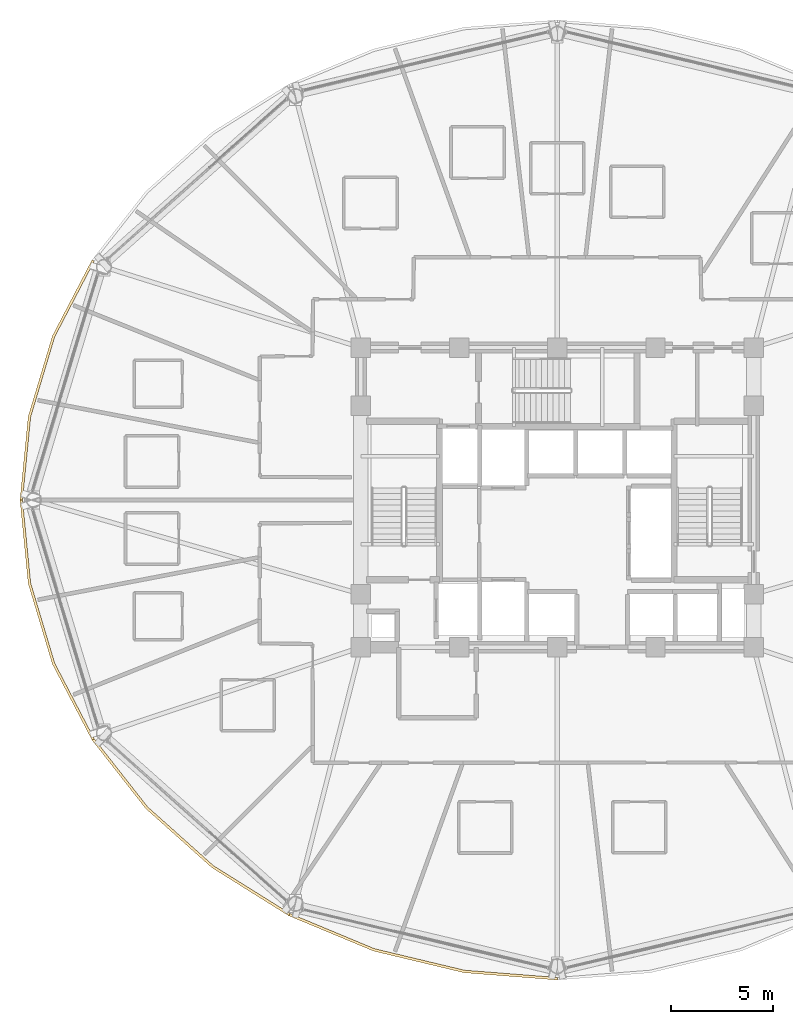
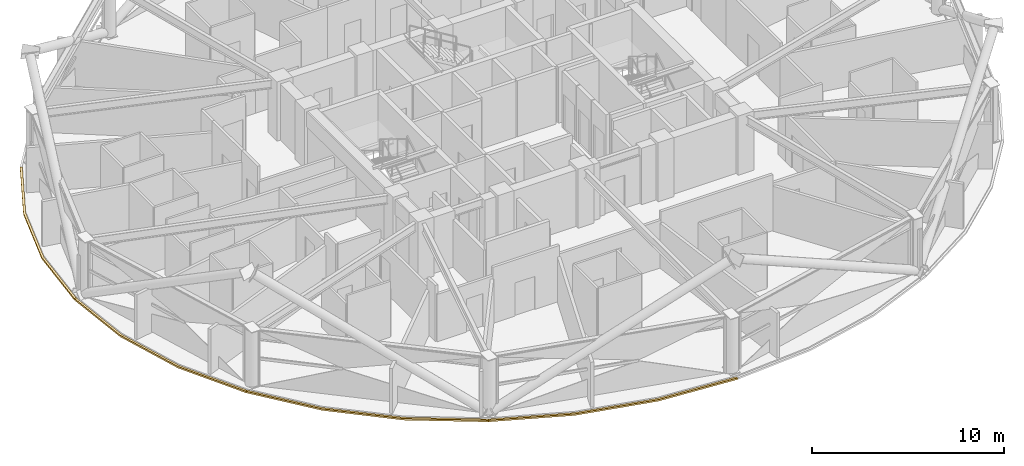
# One storey, part 29 of 32: 4 coverings.
"""IFC4 building model written with IfcOpenShell, lengths in metres."""

from ifc_helpers import new_model, si_unit, direction, frame, origin, place, context, subcontext, project, spatial, polyline, outline, extrude, material, layer, layer_set, type_object, element, save


model = new_model("IFC4")

# Units and contexts
model_context = context("Model", 3, precision=1e-05, world=origin(), true_north=direction((0.0, 1.0)))
body_context = subcontext(model_context, "Body", "Model", "MODEL_VIEW")
ifc_project = project(units=[si_unit("LENGTHUNIT", "METRE"), si_unit("AREAUNIT", "SQUARE_METRE"), si_unit("VOLUMEUNIT", "CUBIC_METRE"), si_unit("PLANEANGLEUNIT", "RADIAN"), si_unit("MASSUNIT", "GRAM", prefix="KILO")], contexts=[model_context])

# Site, building, storey
site_placement = place(None, origin())
site = spatial("IfcSite", under=ifc_project, at=site_placement, CompositionType="ELEMENT")
building_placement = place(site_placement, origin())
building = spatial("IfcBuilding", under=site, at=building_placement, Name="Vantalir Tower", CompositionType="ELEMENT")
storey_placement = place(building_placement, frame((0.0, 0.0, 104.699951171875)))
storey = spatial("IfcBuildingStorey", under=building, at=storey_placement, Name="L25", CompositionType="ELEMENT", Elevation=104.699951171875)

# Coverings
ifc_material = material(Name="Anodised champagne aluminium sill fascia", Category="aluminium")
ifc_layer = layer(ifc_material, 0.125)
ifc_layer_set = layer_set([ifc_layer], Name="Anodised champagne aluminium sill fascia")
covering_type = type_object("IfcCoveringType", Name="COV-SLAB-FASCIA-125", PredefinedType="CLADDING", material=ifc_layer_set)
covering_1_placement = place(storey_placement, frame((0.0, 0.0, -0.179931640625)))
element("IfcCovering", 1, at=covering_1_placement, inside=storey, type_object=covering_type, Name="L25 Perimeter Slab-Edge Sill Fascia 06", PredefinedType="CLADDING", context=body_context, shape_type="SweptSolid", body=[
    extrude(outline(polyline([(8.756103515625, 36.73095703125), (6.821044921875, 33.02490234375), (5.635986328125, 29.073974609375), (5.237060546875, 25.0), (5.362060546875, 25.0), (5.759033203125, 29.052978515625), (6.93798828125, 32.98193359375), (8.864013671875, 36.6689453125), (8.756103515625, 36.73095703125)])), origin(), (0.0, 0.0, 1.0), 0.10498046875),
])
covering_2_placement = place(storey_placement, frame((0.0, 0.0, -0.179931640625)))
element("IfcCovering", 2, at=covering_2_placement, inside=storey, type_object=covering_type, Name="L25 Perimeter Slab-Edge Sill Fascia 07", PredefinedType="CLADDING", context=body_context, shape_type="SweptSolid", body=[
    extrude(outline(polyline([(5.237060546875, 25.0), (5.635986328125, 20.926025390625), (6.821044921875, 16.97509765625), (8.756103515625, 13.26806640625), (8.864013671875, 13.3310546875), (6.93798828125, 17.01806640625), (5.759033203125, 20.947021484375), (5.362060546875, 25.0), (5.237060546875, 25.0)])), origin(), (0.0, 0.0, 1.0), 0.10498046875),
])
covering_3_placement = place(storey_placement, frame((0.0, 0.0, -0.179931640625)))
element("IfcCovering", 3, at=covering_3_placement, inside=storey, type_object=covering_type, Name="L25 Perimeter Slab-Edge Sill Fascia 08", PredefinedType="CLADDING", context=body_context, shape_type="SweptSolid", body=[
    extrude(outline(polyline([(8.756103515625, 13.26806640625), (11.381103515625, 9.91796875), (14.617919921875, 7.02587890625), (18.367919921875, 4.679931640625), (18.430908203125, 4.7890625), (14.698974609375, 7.1220703125), (11.47705078125, 9.9990234375), (8.864013671875, 13.3310546875), (8.756103515625, 13.26806640625)])), origin(), (0.0, 0.0, 1.0), 0.10498046875),
])
covering_4_placement = place(storey_placement, frame((0.0, 0.0, -0.179931640625)))
element("IfcCovering", 4, at=covering_4_placement, inside=storey, type_object=covering_type, Name="L25 Perimeter Slab-Edge Sill Fascia 09", PredefinedType="CLADDING", context=body_context, shape_type="SweptSolid", body=[
    extrude(outline(polyline([(18.367919921875, 4.679931640625), (22.51806640625, 2.951904296875), (26.93896484375, 1.89306640625), (31.5, 1.537109375), (31.5, 1.662109375), (26.9609375, 2.01708984375), (22.56005859375, 3.069091796875), (18.430908203125, 4.7890625), (18.367919921875, 4.679931640625)])), origin(), (0.0, 0.0, 1.0), 0.10498046875),
])

save(model, "model.ifc")
